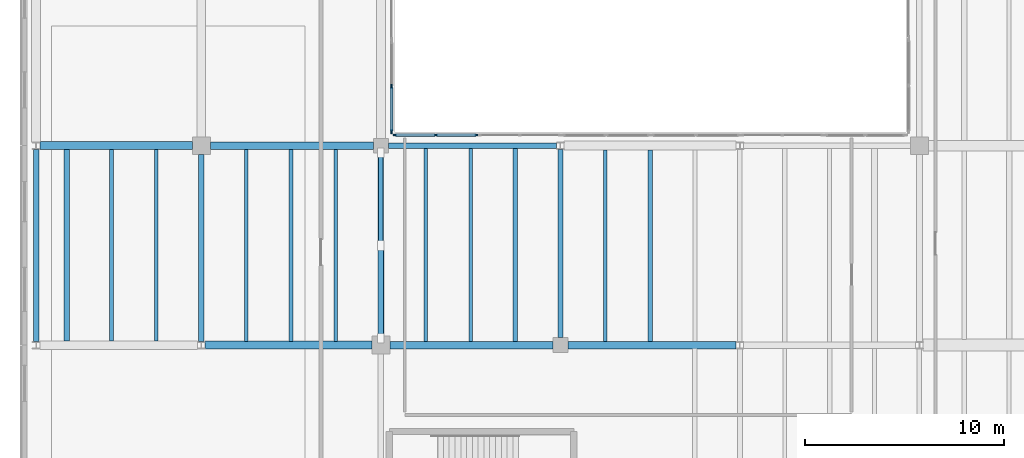
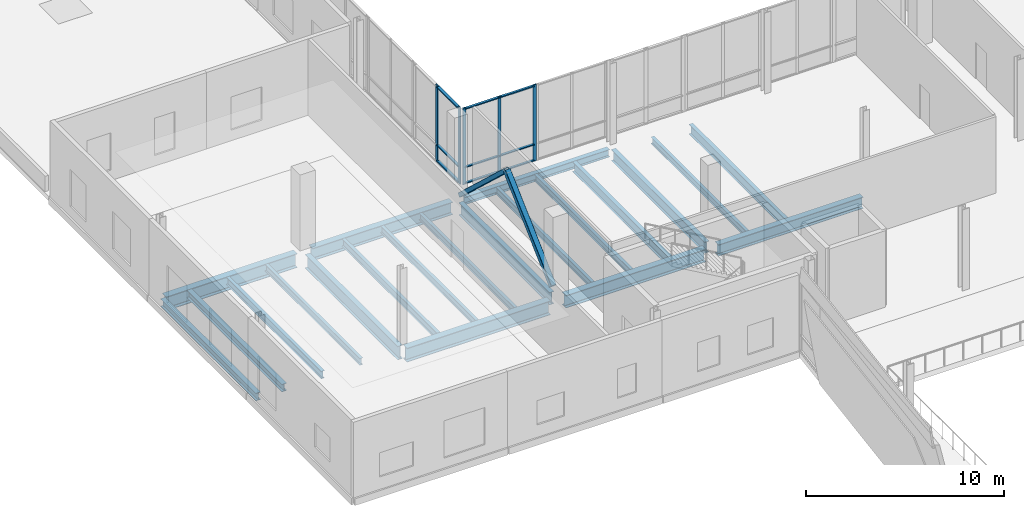
# One storey, part 14 of 60: 21 beams, 16 members, 2 elements without a shape of their own.
"""IFC4 building model written with IfcOpenShell, lengths in metres."""

from ifc_helpers import new_model, si_unit, direction, frame, origin, origin_2d, place, context, subcontext, project, spatial, rectangle, hollow_rectangle, i_section, extrude, material, material_profile, profile_set, type_object, element, aggregate, save


model = new_model("IFC4")

# Units and contexts
model_context = context("Model", 3, precision=1e-05, world=origin(), true_north=direction((0.0, 1.0)))
body_context = subcontext(model_context, "Body", "Model", "MODEL_VIEW")
ifc_project = project(units=[si_unit("LENGTHUNIT", "METRE"), si_unit("AREAUNIT", "SQUARE_METRE"), si_unit("VOLUMEUNIT", "CUBIC_METRE"), si_unit("PLANEANGLEUNIT", "RADIAN"), si_unit("MASSUNIT", "GRAM", prefix="KILO")], contexts=[model_context])

# Site, building, storey
site_placement = place(None, origin())
site = spatial("IfcSite", under=ifc_project, at=site_placement, CompositionType="ELEMENT")
building_placement = place(site_placement, origin())
building = spatial("IfcBuilding", under=site, at=building_placement, Name="Trimount Lyric Opera House", CompositionType="ELEMENT")
storey_placement = place(building_placement, frame((0.0, 0.0, 15.0)))
storey = spatial("IfcBuildingStorey", under=building, at=storey_placement, Name="L03", CompositionType="ELEMENT", Elevation=15.0)

# Beams
ifc_material_1 = material(Name="Steel ASTM A992 Grade 50", Category="steel")
ifc_material_profile_1 = material_profile(ifc_material_1, i_section(OverallWidth=0.40087890625, OverallDepth=0.861083984375, WebThickness=0.019775390625, FlangeThickness=0.032470703125, FilletRadius=0.02001953125, at=origin_2d()), Name="W33X221")
ifc_profile_set_1 = profile_set([ifc_material_profile_1], Name="Steel ASTM A992 Grade 50")
beam_type_1 = type_object("IfcBeamType", Name="B-04", PredefinedType="BEAM", material=ifc_profile_set_1)
beam_1_placement = place(storey_placement, frame((9.1865234375, 64.0, -0.71044921875), z_axis=(1.0, 0.0, 0.0), x_axis=(0.0, 1.0, 0.0)))
element("IfcBeam", 1, at=beam_1_placement, inside=storey, type_object=beam_type_1, Name="L03 girder X-0968", PredefinedType="BEAM", context=body_context, shape_type="SweptSolid", body=[
    extrude(i_section(OverallWidth=0.40087890625, OverallDepth=0.861083984375, WebThickness=0.019775390625, FlangeThickness=0.032470703125, FilletRadius=0.02001953125, at=origin_2d()), origin(), (0.0, 0.0, 1.0), 8.363525390625),
])
beam_2_placement = place(storey_placement, frame((0.906494140625, 74.0, -0.71044921875), z_axis=(1.0, 0.0, 0.0), x_axis=(0.0, 1.0, 0.0)))
element("IfcBeam", 2, at=beam_2_placement, inside=storey, type_object=beam_type_1, Name="L03 girder X-0978", PredefinedType="BEAM", context=body_context, shape_type="SweptSolid", body=[
    extrude(i_section(OverallWidth=0.40087890625, OverallDepth=0.861083984375, WebThickness=0.019775390625, FlangeThickness=0.032470703125, FilletRadius=0.02001953125, at=origin_2d()), origin(), (0.0, 0.0, 1.0), 7.6435546875),
])
ifc_material_2 = material(Name="Steel ASTM A992 Grade 50", Category="steel")
ifc_material_profile_2 = material_profile(ifc_material_2, i_section(OverallWidth=0.2919921875, OverallDepth=0.845947265625, WebThickness=0.015380859375, FlangeThickness=0.0244140625, FilletRadius=0.01806640625, at=origin_2d()), Name="W33X141")
ifc_profile_set_2 = profile_set([ifc_material_profile_2], Name="Steel ASTM A992 Grade 50")
beam_type_2 = type_object("IfcBeamType", Name="B-05", PredefinedType="BEAM", material=ifc_profile_set_2)
beam_3_placement = place(storey_placement, frame((9.0, 64.18408203125, -0.702880859375), z_axis=(0.0, 1.0, 0.0), x_axis=(-1.0, 0.0, 0.0)))
element("IfcBeam", 3, at=beam_3_placement, inside=storey, type_object=beam_type_2, Name="L03 girder Y-1036", PredefinedType="BEAM", context=body_context, shape_type="SweptSolid", body=[
    extrude(i_section(OverallWidth=0.2919921875, OverallDepth=0.845947265625, WebThickness=0.015380859375, FlangeThickness=0.0244140625, FilletRadius=0.01806640625, at=origin_2d()), origin(), (0.0, 0.0, 1.0), 9.365966796875),
])
ifc_material_3 = material(Name="Steel ASTM A992 Grade 50", Category="steel")
ifc_material_profile_3 = material_profile(ifc_material_3, i_section(OverallWidth=0.382080078125, OverallDepth=0.779052734375, WebThickness=0.01806640625, FlangeThickness=0.0302734375, FilletRadius=0.01904296875, at=origin_2d()), Name="W30X191")
ifc_profile_set_3 = profile_set([ifc_material_profile_3], Name="Steel ASTM A992 Grade 50")
beam_type_3 = type_object("IfcBeamType", Name="B-06", PredefinedType="BEAM", material=ifc_profile_set_3)
for number, where, z_axis, x_axis, name in (
    (4, (18.449951171875, 64.0, -0.66943359375), (1.0, 0.0, 0.0), (0.0, 1.0, 0.0), "L03 girder X-0969"),
    (5, (9.449951171875, 74.0, -0.66943359375), (1.0, 0.0, 0.0), (0.0, 1.0, 0.0), "L03 girder X-0979"),
):
    element("IfcBeam", number, at=place(storey_placement, frame(where, z_axis=z_axis, x_axis=x_axis)), inside=storey, type_object=beam_type_3, Name=name, PredefinedType="BEAM", context=body_context, shape_type="SweptSolid", body=[
        extrude(i_section(OverallWidth=0.382080078125, OverallDepth=0.779052734375, WebThickness=0.01806640625, FlangeThickness=0.0302734375, FilletRadius=0.01904296875, at=origin_2d()), origin(), (0.0, 0.0, 1.0), 8.175048828125),
    ])
ifc_material_4 = material(Name="Steel ASTM A992 Grade 50", Category="steel")
ifc_material_profile_4 = material_profile(ifc_material_4, i_section(OverallWidth=0.26708984375, OverallDepth=0.761962890625, WebThickness=0.014404296875, FlangeThickness=0.021484375, FilletRadius=0.01708984375, at=origin_2d()), Name="W30X116")
ifc_profile_set_4 = profile_set([ifc_material_profile_4], Name="Steel ASTM A992 Grade 50")
beam_type_4 = type_object("IfcBeamType", Name="B-07", PredefinedType="BEAM", material=ifc_profile_set_4)
beam_4_placement = place(storey_placement, frame((18.0, 64.449951171875, -0.660888671875), z_axis=(0.0, 1.0, 0.0), x_axis=(-1.0, 0.0, 0.0)))
element("IfcBeam", 6, at=beam_4_placement, inside=storey, type_object=beam_type_4, Name="L03 girder Y-1040", PredefinedType="BEAM", context=body_context, shape_type="SweptSolid", body=[
    extrude(i_section(OverallWidth=0.26708984375, OverallDepth=0.761962890625, WebThickness=0.014404296875, FlangeThickness=0.021484375, FilletRadius=0.01708984375, at=origin_2d()), origin(), (0.0, 0.0, 1.0), 9.175048828125),
])
ifc_material_5 = material(Name="Steel ASTM A992 Grade 50", Category="steel")
ifc_material_profile_5 = material_profile(ifc_material_5, i_section(OverallWidth=0.35595703125, OverallDepth=0.700927734375, WebThickness=0.016845703125, FlangeThickness=0.02734375, FilletRadius=0.01806640625, at=origin_2d()), Name="W27X161")
ifc_profile_set_5 = profile_set([ifc_material_profile_5], Name="Steel ASTM A992 Grade 50")
beam_type_5 = type_object("IfcBeamType", Name="B-08", PredefinedType="BEAM", material=ifc_profile_set_5)
beam_5_placement = place(storey_placement, frame((27.375, 64.0, -0.630615234375), z_axis=(1.0, 0.0, 0.0), x_axis=(0.0, 1.0, 0.0)))
element("IfcBeam", 7, at=beam_5_placement, inside=storey, type_object=beam_type_5, Name="L03 girder X-0970", PredefinedType="BEAM", context=body_context, shape_type="SweptSolid", body=[
    extrude(i_section(OverallWidth=0.35595703125, OverallDepth=0.700927734375, WebThickness=0.016845703125, FlangeThickness=0.02734375, FilletRadius=0.01806640625, at=origin_2d()), origin(), (0.0, 0.0, 1.0), 8.44091796875),
])
ifc_material_6 = material(Name="Steel ASTM A992 Grade 50", Category="steel")
ifc_material_profile_6 = material_profile(ifc_material_6, i_section(OverallWidth=0.25390625, OverallDepth=0.68798828125, WebThickness=0.01318359375, FlangeThickness=0.02099609375, FilletRadius=0.01611328125, at=origin_2d()), Name="W27X102")
ifc_profile_set_6 = profile_set([ifc_material_profile_6], Name="Steel ASTM A992 Grade 50")
beam_type_6 = type_object("IfcBeamType", Name="B-09", PredefinedType="BEAM", material=ifc_profile_set_6)
beam_6_placement = place(storey_placement, frame((27.0, 64.375, -0.6240234375), z_axis=(0.0, 1.0, 0.0), x_axis=(-1.0, 0.0, 0.0)))
element("IfcBeam", 8, at=beam_6_placement, inside=storey, type_object=beam_type_6, Name="L03 girder Y-1047", PredefinedType="BEAM", context=body_context, shape_type="SweptSolid", body=[
    extrude(i_section(OverallWidth=0.25390625, OverallDepth=0.68798828125, WebThickness=0.01318359375, FlangeThickness=0.02099609375, FilletRadius=0.01611328125, at=origin_2d()), origin(), (0.0, 0.0, 1.0), 9.447021484375),
])

# Members
ifc_material_7 = material(Name="Steel ASTM A500 Grade C", Category="steel")
ifc_material_profile_7 = material_profile(ifc_material_7, hollow_rectangle(XDim=0.3046875, YDim=0.3046875, WallThickness=0.01171875, InnerFilletRadius=0.01220703125, OuterFilletRadius=0.02392578125, at=origin_2d()), Name="HSS304.8X304.8X12.7")
ifc_profile_set_7 = profile_set([ifc_material_profile_7], Name="Steel ASTM A500 Grade C")
member_type_1 = type_object("IfcMemberType", Name="BR-02", PredefinedType="BRACE", material=ifc_profile_set_7)
member_1_placement = place(storey_placement, frame((18.0, 64.35009765625, 0.14990234375), z_axis=(0.0, 0.731826569488, 0.681490918642), x_axis=(-1.0, 0.0, 0.0)))
element("IfcMember", 9, at=member_1_placement, inside=storey, type_object=member_type_1, Name="L03 lateral chevron brace BF-1.1", PredefinedType="BRACE", context=body_context, shape_type="SweptSolid", body=[
    extrude(hollow_rectangle(XDim=0.3046875, YDim=0.3046875, WallThickness=0.01171875, InnerFilletRadius=0.01220703125, OuterFilletRadius=0.02392578125, at=origin_2d()), origin(), (0.0, 0.0, 1.0), 6.353759765625),
])
ifc_material_8 = material(Name="Steel ASTM A500 Grade C", Category="steel")
ifc_material_profile_8 = material_profile(ifc_material_8, hollow_rectangle(XDim=0.25390625, YDim=0.25390625, WallThickness=0.01171875, InnerFilletRadius=0.01220703125, OuterFilletRadius=0.02392578125, at=origin_2d()), Name="HSS254.0X254.0X12.7")
ifc_profile_set_8 = profile_set([ifc_material_profile_8], Name="Steel ASTM A500 Grade C")
member_type_2 = type_object("IfcMemberType", Name="BR-03", PredefinedType="BRACE", material=ifc_profile_set_8)
member_2_placement = place(storey_placement, frame((18.0, 73.64990234375, 0.14990234375), z_axis=(0.0, -0.731826569488, 0.681490918642), x_axis=(1.0, 0.0, 0.0)))
element("IfcMember", 10, at=member_2_placement, inside=storey, type_object=member_type_2, Name="L03 lateral chevron brace BF-1.2", PredefinedType="BRACE", context=body_context, shape_type="SweptSolid", body=[
    extrude(hollow_rectangle(XDim=0.25390625, YDim=0.25390625, WallThickness=0.01171875, InnerFilletRadius=0.01220703125, OuterFilletRadius=0.02392578125, at=origin_2d()), origin(), (0.0, 0.0, 1.0), 6.353759765625),
])

# Beams
ifc_material_9 = material(Name="Steel ASTM A992 Grade 50", Category="steel")
ifc_material_profile_9 = material_profile(ifc_material_9, i_section(OverallWidth=0.22802734375, OverallDepth=0.60205078125, WebThickness=0.010498046875, FlangeThickness=0.014892578125, FilletRadius=0.012939453125, at=origin_2d()), Name="W24X68")
ifc_profile_set_9 = profile_set([ifc_material_profile_9], Name="Steel ASTM A992 Grade 50")
beam_type_7 = type_object("IfcBeamType", Name="J-01", PredefinedType="BEAM", material=ifc_profile_set_9)
beam_7_placement = place(storey_placement, frame((24.75, 64.18701171875, -0.5810546875), z_axis=(0.0, 1.0, 0.0), x_axis=(-1.0, 0.0, 0.0)))
element("IfcBeam", 11, at=beam_7_placement, inside=storey, type_object=beam_type_7, Name="L03 composite floor joist 1000", PredefinedType="BEAM", context=body_context, shape_type="SweptSolid", body=[
    extrude(i_section(OverallWidth=0.22802734375, OverallDepth=0.60205078125, WebThickness=0.010498046875, FlangeThickness=0.014892578125, FilletRadius=0.012939453125, at=origin_2d()), origin(), (0.0, 0.0, 1.0), 9.676025390625),
])
beam_8_placement = place(storey_placement, frame((31.5, 64.174072265625, -0.5810546875), z_axis=(0.0, 1.0, 0.0), x_axis=(-1.0, 0.0, 0.0)))
element("IfcBeam", 12, at=beam_8_placement, inside=storey, type_object=beam_type_7, Name="L03 composite floor joist 1009", PredefinedType="BEAM", context=body_context, shape_type="SweptSolid", body=[
    extrude(i_section(OverallWidth=0.22802734375, OverallDepth=0.60205078125, WebThickness=0.010498046875, FlangeThickness=0.014892578125, FilletRadius=0.012939453125, at=origin_2d()), origin(), (0.0, 0.0, 1.0), 9.60498046875),
])
ifc_material_10 = material(Name="Steel ASTM A992 Grade 50", Category="steel")
ifc_material_profile_10 = material_profile(ifc_material_10, i_section(OverallWidth=0.281982421875, OverallDepth=0.467041015625, WebThickness=0.01220703125, FlangeThickness=0.01953125, FilletRadius=0.012939453125, at=origin_2d()), Name="W18X86")
ifc_profile_set_10 = profile_set([ifc_material_profile_10], Name="Steel ASTM A992 Grade 50")
beam_type_8 = type_object("IfcBeamType", Name="J-03", PredefinedType="BEAM", material=ifc_profile_set_10)
beam_9_placement = place(storey_placement, frame((2.25, 64.20556640625, -0.513427734375), z_axis=(0.0, 1.0, 0.0), x_axis=(-1.0, 0.0, 0.0)))
element("IfcBeam", 13, at=beam_9_placement, inside=storey, type_object=beam_type_8, Name="L03 composite floor joist 0989", PredefinedType="BEAM", context=body_context, shape_type="SweptSolid", body=[
    extrude(i_section(OverallWidth=0.281982421875, OverallDepth=0.467041015625, WebThickness=0.01220703125, FlangeThickness=0.01953125, FilletRadius=0.012939453125, at=origin_2d()), origin(), (0.0, 0.0, 1.0), 9.597900390625),
])
ifc_material_11 = material(Name="Steel ASTM A992 Grade 50", Category="steel")
ifc_material_profile_11 = material_profile(ifc_material_11, i_section(OverallWidth=0.19091796875, OverallDepth=0.45703125, WebThickness=0.009033203125, FlangeThickness=0.014404296875, FilletRadius=0.010986328125, at=origin_2d()), Name="W18X50")
ifc_profile_set_11 = profile_set([ifc_material_profile_11], Name="Steel ASTM A992 Grade 50")
beam_type_9 = type_object("IfcBeamType", Name="J-04", PredefinedType="BEAM", material=ifc_profile_set_11)
beam_10_placement = place(storey_placement, frame((4.5, 64.20556640625, -0.508544921875), z_axis=(0.0, 1.0, 0.0), x_axis=(-1.0, 0.0, 0.0)))
element("IfcBeam", 14, at=beam_10_placement, inside=storey, type_object=beam_type_9, Name="L03 composite floor joist 0990", PredefinedType="BEAM", context=body_context, shape_type="SweptSolid", body=[
    extrude(i_section(OverallWidth=0.19091796875, OverallDepth=0.45703125, WebThickness=0.009033203125, FlangeThickness=0.014404296875, FilletRadius=0.010986328125, at=origin_2d()), origin(), (0.0, 0.0, 1.0), 9.597900390625),
])
beam_11_placement = place(storey_placement, frame((11.25, 64.196533203125, -0.508544921875), z_axis=(0.0, 1.0, 0.0), x_axis=(-1.0, 0.0, 0.0)))
element("IfcBeam", 15, at=beam_11_placement, inside=storey, type_object=beam_type_9, Name="L03 composite floor joist 0995", PredefinedType="BEAM", context=body_context, shape_type="SweptSolid", body=[
    extrude(i_section(OverallWidth=0.19091796875, OverallDepth=0.45703125, WebThickness=0.009033203125, FlangeThickness=0.014404296875, FilletRadius=0.010986328125, at=origin_2d()), origin(), (0.0, 0.0, 1.0), 9.616455078125),
])
ifc_material_12 = material(Name="Steel ASTM A992 Grade 50", Category="steel")
ifc_material_profile_12 = material_profile(ifc_material_12, i_section(OverallWidth=0.180908203125, OverallDepth=0.4169921875, WebThickness=0.010986328125, FlangeThickness=0.018310546875, FilletRadius=0.010986328125, at=origin_2d()), Name="W16X57")
ifc_profile_set_12 = profile_set([ifc_material_profile_12], Name="Steel ASTM A992 Grade 50")
beam_type_10 = type_object("IfcBeamType", Name="J-05", PredefinedType="BEAM", material=ifc_profile_set_12)
beam_12_placement = place(storey_placement, frame((6.75, 64.20556640625, -0.488525390625), z_axis=(0.0, 1.0, 0.0), x_axis=(-1.0, 0.0, 0.0)))
element("IfcBeam", 16, at=beam_12_placement, inside=storey, type_object=beam_type_10, Name="L03 composite floor joist 0991", PredefinedType="BEAM", context=body_context, shape_type="SweptSolid", body=[
    extrude(i_section(OverallWidth=0.180908203125, OverallDepth=0.4169921875, WebThickness=0.010986328125, FlangeThickness=0.018310546875, FilletRadius=0.010986328125, at=origin_2d()), origin(), (0.0, 0.0, 1.0), 9.597900390625),
])
beam_13_placement = place(storey_placement, frame((13.5, 64.196533203125, -0.488525390625), z_axis=(0.0, 1.0, 0.0), x_axis=(-1.0, 0.0, 0.0)))
element("IfcBeam", 17, at=beam_13_placement, inside=storey, type_object=beam_type_10, Name="L03 composite floor joist 0996", PredefinedType="BEAM", context=body_context, shape_type="SweptSolid", body=[
    extrude(i_section(OverallWidth=0.180908203125, OverallDepth=0.4169921875, WebThickness=0.010986328125, FlangeThickness=0.018310546875, FilletRadius=0.010986328125, at=origin_2d()), origin(), (0.0, 0.0, 1.0), 9.616455078125),
])
beam_14_placement = place(storey_placement, frame((20.25, 64.18701171875, -0.488525390625), z_axis=(0.0, 1.0, 0.0), x_axis=(-1.0, 0.0, 0.0)))
element("IfcBeam", 18, at=beam_14_placement, inside=storey, type_object=beam_type_10, Name="L03 composite floor joist 0998", PredefinedType="BEAM", context=body_context, shape_type="SweptSolid", body=[
    extrude(i_section(OverallWidth=0.180908203125, OverallDepth=0.4169921875, WebThickness=0.010986328125, FlangeThickness=0.018310546875, FilletRadius=0.010986328125, at=origin_2d()), origin(), (0.0, 0.0, 1.0), 9.676025390625),
])
ifc_material_13 = material(Name="Steel ASTM A992 Grade 50", Category="steel")
ifc_material_profile_13 = material_profile(ifc_material_13, i_section(OverallWidth=0.177978515625, OverallDepth=0.404052734375, WebThickness=0.007568359375, FlangeThickness=0.010986328125, FilletRadius=0.010009765625, at=origin_2d()), Name="W16X36")
ifc_profile_set_13 = profile_set([ifc_material_profile_13], Name="Steel ASTM A992 Grade 50")
beam_type_11 = type_object("IfcBeamType", Name="J-06", PredefinedType="BEAM", material=ifc_profile_set_13)
beam_15_placement = place(storey_placement, frame((15.75, 64.196533203125, -0.48193359375), z_axis=(0.0, 1.0, 0.0), x_axis=(-1.0, 0.0, 0.0)))
element("IfcBeam", 19, at=beam_15_placement, inside=storey, type_object=beam_type_11, Name="L03 composite floor joist 0997", PredefinedType="BEAM", context=body_context, shape_type="SweptSolid", body=[
    extrude(i_section(OverallWidth=0.177978515625, OverallDepth=0.404052734375, WebThickness=0.007568359375, FlangeThickness=0.010986328125, FilletRadius=0.010009765625, at=origin_2d()), origin(), (0.0, 0.0, 1.0), 9.616455078125),
])
beam_16_placement = place(storey_placement, frame((22.5, 64.18701171875, -0.48193359375), z_axis=(0.0, 1.0, 0.0), x_axis=(-1.0, 0.0, 0.0)))
element("IfcBeam", 20, at=beam_16_placement, inside=storey, type_object=beam_type_11, Name="L03 composite floor joist 0999", PredefinedType="BEAM", context=body_context, shape_type="SweptSolid", body=[
    extrude(i_section(OverallWidth=0.177978515625, OverallDepth=0.404052734375, WebThickness=0.007568359375, FlangeThickness=0.010986328125, FilletRadius=0.010009765625, at=origin_2d()), origin(), (0.0, 0.0, 1.0), 9.676025390625),
])
beam_17_placement = place(storey_placement, frame((29.25, 64.174072265625, -0.48193359375), z_axis=(0.0, 1.0, 0.0), x_axis=(-1.0, 0.0, 0.0)))
element("IfcBeam", 21, at=beam_17_placement, inside=storey, type_object=beam_type_11, Name="L03 composite floor joist 1008", PredefinedType="BEAM", context=body_context, shape_type="SweptSolid", body=[
    extrude(i_section(OverallWidth=0.177978515625, OverallDepth=0.404052734375, WebThickness=0.007568359375, FlangeThickness=0.010986328125, FilletRadius=0.010009765625, at=origin_2d()), origin(), (0.0, 0.0, 1.0), 9.60498046875),
])

# Curtain wall, members
ifc_material_14 = material(Name="Thermally Broken Aluminium and Low-E Glass", Category="aluminium")
curtain_wall_type = type_object("IfcCurtainWallType", Name="CW-03", PredefinedType="NOTDEFINED", material=ifc_material_14)
curtain_wall_1_placement = place(storey_placement, origin())
curtain_wall_1 = element("IfcCurtainWall", 22, at=curtain_wall_1_placement, inside=storey, type_object=curtain_wall_type, Name="L03 curtain wall 294", PredefinedType="NOTDEFINED")
ifc_material_15 = material(Name="Anodised Aluminium 6063-T6", Category="aluminium")
ifc_material_profile_14 = material_profile(ifc_material_15, rectangle(XDim=0.070068359375, YDim=0.219970703125, at=origin_2d()), Name="ALU-MULL-70X220")
ifc_profile_set_14 = profile_set([ifc_material_profile_14], Name="Anodised Aluminium 6063-T6")
member_type_3 = type_object("IfcMemberType", Name="ML-01", PredefinedType="MULLION", material=ifc_profile_set_14)
member_3_placement = place(storey_placement, frame((18.5400390625, 76.965087890625, 0.0), z_axis=(0.0, 0.0, 1.0), x_axis=(1.0, 0.0, 0.0)))
member_3 = element("IfcMember", 23, at=member_3_placement, type_object=member_type_3, Name="CW-03 mullion 2", PredefinedType="MULLION", context=body_context, shape_type="SweptSolid", body=[
    extrude(rectangle(XDim=0.070068359375, YDim=0.219970703125, at=origin_2d()), origin(), (0.0, 0.0, 1.0), 4.719970703125),
])
member_4_placement = place(storey_placement, frame((18.5400390625, 74.715087890625, 0.0), z_axis=(0.0, 0.0, 1.0), x_axis=(1.0, 0.0, 0.0)))
member_4 = element("IfcMember", 24, at=member_4_placement, type_object=member_type_3, Name="CW-03 mullion 3", PredefinedType="MULLION", context=body_context, shape_type="SweptSolid", body=[
    extrude(rectangle(XDim=0.070068359375, YDim=0.219970703125, at=origin_2d()), origin(), (0.0, 0.0, 1.0), 4.719970703125),
])

curtain_wall_2_placement = place(storey_placement, origin())
curtain_wall_2 = element("IfcCurtainWall", 25, at=curtain_wall_2_placement, inside=storey, type_object=curtain_wall_type, Name="L03 curtain wall 295", PredefinedType="NOTDEFINED")
ifc_material_16 = material(Name="Anodised Aluminium 6063-T6", Category="aluminium")
ifc_material_profile_15 = material_profile(ifc_material_16, rectangle(XDim=0.06494140625, YDim=0.179931640625, at=origin_2d()), Name="ALU-MULL-65X180")
ifc_profile_set_15 = profile_set([ifc_material_profile_15], Name="Anodised Aluminium 6063-T6")
member_type_4 = type_object("IfcMemberType", Name="ML-02", PredefinedType="MULLION", material=ifc_profile_set_15)
member_5_placement = place(storey_placement, frame((18.71240234375, 74.5400390625, 0.0), z_axis=(0.0, 0.0, 1.0), x_axis=(0.0, 1.0, 0.0)))
member_5 = element("IfcMember", 26, at=member_5_placement, type_object=member_type_4, Name="CW-03 mullion 1", PredefinedType="MULLION", context=body_context, shape_type="SweptSolid", body=[
    extrude(rectangle(XDim=0.06494140625, YDim=0.179931640625, at=origin_2d()), origin(), (0.0, 0.0, 1.0), 4.719970703125),
])
member_6_placement = place(storey_placement, frame((20.760009765625, 74.5400390625, 0.0), z_axis=(0.0, 0.0, 1.0), x_axis=(0.0, 1.0, 0.0)))
member_6 = element("IfcMember", 27, at=member_6_placement, type_object=member_type_4, Name="CW-03 mullion 2", PredefinedType="MULLION", context=body_context, shape_type="SweptSolid", body=[
    extrude(rectangle(XDim=0.06494140625, YDim=0.179931640625, at=origin_2d()), origin(), (0.0, 0.0, 1.0), 4.719970703125),
])
member_7_placement = place(storey_placement, frame((22.8076171875, 74.5400390625, 0.0), z_axis=(0.0, 0.0, 1.0), x_axis=(0.0, 1.0, 0.0)))
member_7 = element("IfcMember", 28, at=member_7_placement, type_object=member_type_4, Name="CW-03 mullion 3", PredefinedType="MULLION", context=body_context, shape_type="SweptSolid", body=[
    extrude(rectangle(XDim=0.06494140625, YDim=0.179931640625, at=origin_2d()), origin(), (0.0, 0.0, 1.0), 4.719970703125),
])

# Beams
ifc_material_17 = material(Name="Steel ASTM A992 Grade 50", Category="steel")
ifc_material_profile_16 = material_profile(ifc_material_17, i_section(OverallWidth=0.281982421875, OverallDepth=0.467041015625, WebThickness=0.01220703125, FlangeThickness=0.01953125, FilletRadius=0.012939453125, at=origin_2d()), Name="W18X86")
ifc_profile_set_16 = profile_set([ifc_material_profile_16], Name="Steel ASTM A992 Grade 50")
beam_type_12 = type_object("IfcBeamType", Name="SP-01", PredefinedType="SPANDREL", material=ifc_profile_set_16)
beam_18_placement = place(storey_placement, frame((18.375, 74.0, -0.513427734375), z_axis=(1.0, 0.0, 0.0), x_axis=(0.0, 1.0, 0.0)))
element("IfcBeam", 29, at=beam_18_placement, inside=storey, type_object=beam_type_12, Name="L03 girder X-0980", PredefinedType="SPANDREL", context=body_context, shape_type="SweptSolid", body=[
    extrude(i_section(OverallWidth=0.281982421875, OverallDepth=0.467041015625, WebThickness=0.01220703125, FlangeThickness=0.01953125, FilletRadius=0.012939453125, at=origin_2d()), origin(), (0.0, 0.0, 1.0), 8.44091796875),
])
beam_19_placement = place(storey_placement, frame((0.719970703125, 64.177978515625, -0.513427734375), z_axis=(0.0, 1.0, 0.0), x_axis=(-1.0, 0.0, 0.0)))
element("IfcBeam", 30, at=beam_19_placement, inside=storey, type_object=beam_type_12, Name="L03 girder Y-1030", PredefinedType="SPANDREL", context=body_context, shape_type="SweptSolid", body=[
    extrude(i_section(OverallWidth=0.281982421875, OverallDepth=0.467041015625, WebThickness=0.01220703125, FlangeThickness=0.01953125, FilletRadius=0.012939453125, at=origin_2d()), origin(), (0.0, 0.0, 1.0), 9.637939453125),
])

# Member
ifc_material_18 = material(Name="Anodised Aluminium 6063-T6", Category="aluminium")
ifc_material_profile_17 = material_profile(ifc_material_18, rectangle(XDim=0.159912109375, YDim=0.070068359375, at=origin_2d()), Name="ALU-TRAN-70X160")
ifc_profile_set_17 = profile_set([ifc_material_profile_17], Name="Anodised Aluminium 6063-T6")
member_type_5 = type_object("IfcMemberType", Name="TR-01", PredefinedType="USERDEFINED", material=ifc_profile_set_17)
member_8_placement = place(storey_placement, frame((18.5400390625, 76.929931640625, 0.080078125), z_axis=(0.0, -1.0, 0.0), x_axis=(1.0, 0.0, 0.0)))
member_8 = element("IfcMember", 31, at=member_8_placement, type_object=member_type_5, Name="CW-03 transom 2.1", ObjectType="TRANSOM", PredefinedType="USERDEFINED", context=body_context, shape_type="SweptSolid", body=[
    extrude(rectangle(XDim=0.159912109375, YDim=0.070068359375, at=origin_2d()), origin(), (0.0, 0.0, 1.0), 2.179931640625),
])

member_9_placement = place(storey_placement, frame((18.5400390625, 76.929931640625, 1.050048828125), z_axis=(0.0, -1.0, 0.0), x_axis=(1.0, 0.0, 0.0)))
member_9 = element("IfcMember", 32, at=member_9_placement, type_object=member_type_5, Name="CW-03 transom 2.2", ObjectType="TRANSOM", PredefinedType="USERDEFINED", context=body_context, shape_type="SweptSolid", body=[
    extrude(rectangle(XDim=0.159912109375, YDim=0.070068359375, at=origin_2d()), origin(), (0.0, 0.0, 1.0), 2.179931640625),
])

member_10_placement = place(storey_placement, frame((18.5400390625, 76.929931640625, 4.639892578125), z_axis=(0.0, -1.0, 0.0), x_axis=(1.0, 0.0, 0.0)))
member_10 = element("IfcMember", 33, at=member_10_placement, type_object=member_type_5, Name="CW-03 transom 2.3", ObjectType="TRANSOM", PredefinedType="USERDEFINED", context=body_context, shape_type="SweptSolid", body=[
    extrude(rectangle(XDim=0.159912109375, YDim=0.070068359375, at=origin_2d()), origin(), (0.0, 0.0, 1.0), 2.179931640625),
])

aggregate(curtain_wall_1, [member_3, member_4, member_8, member_9, member_10])

ifc_material_19 = material(Name="Anodised Aluminium 6063-T6", Category="aluminium")
ifc_material_profile_18 = material_profile(ifc_material_19, rectangle(XDim=0.135009765625, YDim=0.06494140625, at=origin_2d()), Name="ALU-TRAN-65X135")
ifc_profile_set_18 = profile_set([ifc_material_profile_18], Name="Anodised Aluminium 6063-T6")
member_type_6 = type_object("IfcMemberType", Name="TR-02", PredefinedType="USERDEFINED", material=ifc_profile_set_18)
member_11_placement = place(storey_placement, frame((18.7451171875, 74.5400390625, 0.0673828125), z_axis=(1.0, 0.0, 0.0), x_axis=(0.0, 1.0, 0.0)))
member_11 = element("IfcMember", 34, at=member_11_placement, type_object=member_type_6, Name="CW-03 transom 1.1", ObjectType="TRANSOM", PredefinedType="USERDEFINED", context=body_context, shape_type="SweptSolid", body=[
    extrude(rectangle(XDim=0.135009765625, YDim=0.06494140625, at=origin_2d()), origin(), (0.0, 0.0, 1.0), 1.982421875),
])

member_12_placement = place(storey_placement, frame((18.7451171875, 74.5400390625, 1.050048828125), z_axis=(1.0, 0.0, 0.0), x_axis=(0.0, 1.0, 0.0)))
member_12 = element("IfcMember", 35, at=member_12_placement, type_object=member_type_6, Name="CW-03 transom 1.2", ObjectType="TRANSOM", PredefinedType="USERDEFINED", context=body_context, shape_type="SweptSolid", body=[
    extrude(rectangle(XDim=0.135009765625, YDim=0.06494140625, at=origin_2d()), origin(), (0.0, 0.0, 1.0), 1.982421875),
])

member_13_placement = place(storey_placement, frame((18.7451171875, 74.5400390625, 4.652587890625), z_axis=(1.0, 0.0, 0.0), x_axis=(0.0, 1.0, 0.0)))
member_13 = element("IfcMember", 36, at=member_13_placement, type_object=member_type_6, Name="CW-03 transom 1.3", ObjectType="TRANSOM", PredefinedType="USERDEFINED", context=body_context, shape_type="SweptSolid", body=[
    extrude(rectangle(XDim=0.135009765625, YDim=0.06494140625, at=origin_2d()), origin(), (0.0, 0.0, 1.0), 1.982421875),
])

member_14_placement = place(storey_placement, frame((20.79248046875, 74.5400390625, 0.0673828125), z_axis=(1.0, 0.0, 0.0), x_axis=(0.0, 1.0, 0.0)))
member_14 = element("IfcMember", 37, at=member_14_placement, type_object=member_type_6, Name="CW-03 transom 2.1", ObjectType="TRANSOM", PredefinedType="USERDEFINED", context=body_context, shape_type="SweptSolid", body=[
    extrude(rectangle(XDim=0.135009765625, YDim=0.06494140625, at=origin_2d()), origin(), (0.0, 0.0, 1.0), 1.982421875),
])

member_15_placement = place(storey_placement, frame((20.79248046875, 74.5400390625, 1.050048828125), z_axis=(1.0, 0.0, 0.0), x_axis=(0.0, 1.0, 0.0)))
member_15 = element("IfcMember", 38, at=member_15_placement, type_object=member_type_6, Name="CW-03 transom 2.2", ObjectType="TRANSOM", PredefinedType="USERDEFINED", context=body_context, shape_type="SweptSolid", body=[
    extrude(rectangle(XDim=0.135009765625, YDim=0.06494140625, at=origin_2d()), origin(), (0.0, 0.0, 1.0), 1.982421875),
])

member_16_placement = place(storey_placement, frame((20.79248046875, 74.5400390625, 4.652587890625), z_axis=(1.0, 0.0, 0.0), x_axis=(0.0, 1.0, 0.0)))
member_16 = element("IfcMember", 39, at=member_16_placement, type_object=member_type_6, Name="CW-03 transom 2.3", ObjectType="TRANSOM", PredefinedType="USERDEFINED", context=body_context, shape_type="SweptSolid", body=[
    extrude(rectangle(XDim=0.135009765625, YDim=0.06494140625, at=origin_2d()), origin(), (0.0, 0.0, 1.0), 1.982421875),
])

aggregate(curtain_wall_2, [member_5, member_6, member_7, member_11, member_12, member_13, member_14, member_15, member_16])

save(model, "model.ifc")
